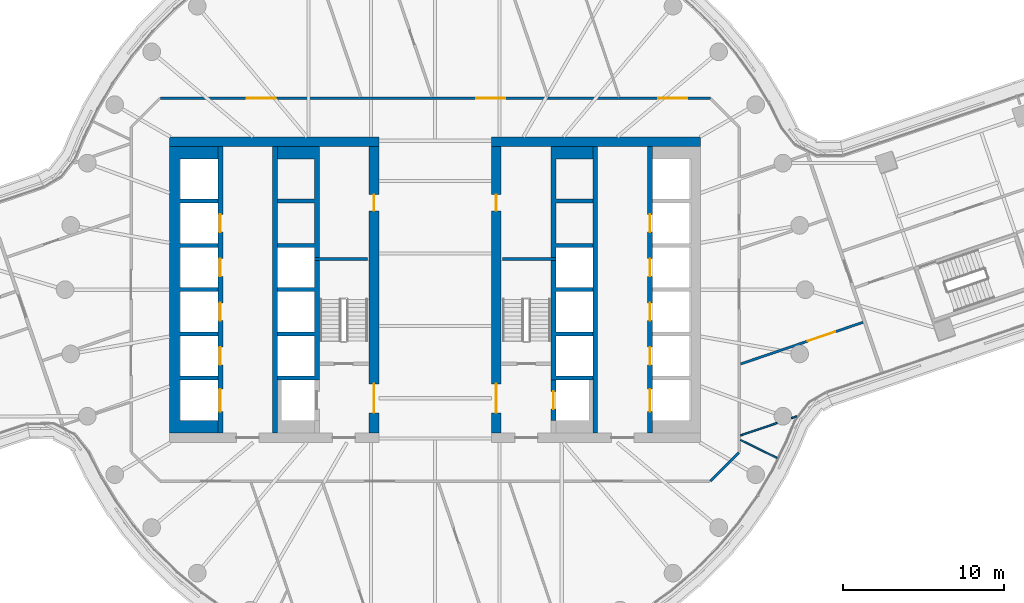
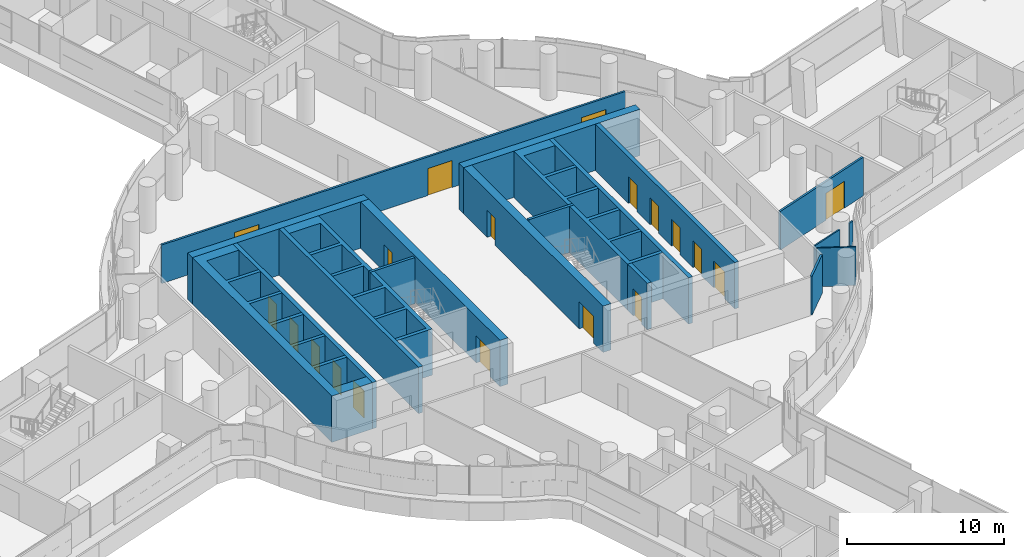
# One storey, part 19 of 29: 20 walls, 19 doors, 19 openings.
"""IFC4 building model written with IfcOpenShell, lengths in metres."""

from ifc_helpers import new_model, si_unit, direction, frame, frame_2d, origin, place, context, subcontext, project, spatial, polyline, rectangle, outline, extrude, material, layer, layer_set, type_object, element, fill, save


model = new_model("IFC4")

# Units and contexts
model_context = context("Model", 3, precision=1e-05, world=origin(), true_north=direction((0.0, 1.0)))
body_context = subcontext(model_context, "Body", "Model", "MODEL_VIEW")
ifc_project = project(units=[si_unit("LENGTHUNIT", "METRE"), si_unit("AREAUNIT", "SQUARE_METRE"), si_unit("VOLUMEUNIT", "CUBIC_METRE"), si_unit("PLANEANGLEUNIT", "RADIAN"), si_unit("MASSUNIT", "GRAM", prefix="KILO")], contexts=[model_context])

# Site, building, storey
site_placement = place(None, origin())
site = spatial("IfcSite", under=ifc_project, at=site_placement, CompositionType="ELEMENT")
building_placement = place(site_placement, origin())
building = spatial("IfcBuilding", under=site, at=building_placement, Name="Tamarind Cross Interchange Tower", CompositionType="ELEMENT")
storey_placement = place(building_placement, frame((0.0, 0.0, 102.25)))
storey = spatial("IfcBuildingStorey", under=building, at=storey_placement, Name="L24", CompositionType="ELEMENT", Elevation=102.25)

# Walls
ifc_material_1 = material(Name="Concrete C70", Category="concrete")
ifc_layer_1 = layer(ifc_material_1, 0.60009765625)
ifc_layer_set_1 = layer_set([ifc_layer_1], Name="Concrete C70")
wall_type_1 = type_object("IfcWallType", Name="Core wall 600 mm Concrete C70", PredefinedType="SHEAR", material=ifc_layer_set_1)
wall_1_placement = place(storey_placement, origin())
element("IfcWall", 1, at=wall_1_placement, inside=storey, type_object=wall_type_1, Name="Core wall CWL-L24-W-A", PredefinedType="SHEAR", context=body_context, shape_type="SweptSolid", body=[
    extrude(outline(polyline([(-13.5, -8.89990234375), (-13.5, -8.125), (-15.89990234375, -8.125), (-15.89990234375, -5.625), (-13.5, -5.625), (-13.5, -5.375), (-15.89990234375, -5.375), (-15.89990234375, -2.875), (-13.5, -2.875), (-13.5, -2.625), (-15.89990234375, -2.625), (-15.89990234375, -0.125), (-13.5, -0.125), (-13.5, 0.125), (-15.89990234375, 0.125), (-15.89990234375, 2.625), (-13.5, 2.625), (-13.5, 2.875), (-15.89990234375, 2.875), (-15.89990234375, 5.375), (-13.5, 5.375), (-13.5, 5.625), (-15.89990234375, 5.625), (-15.89990234375, 8.125), (-13.5, 8.125), (-13.5, 8.89990234375), (-15.89990234375, 8.89990234375), (-16.5, 8.89990234375), (-16.5, -8.89990234375), (-15.89990234375, -8.89990234375), (-13.5, -8.89990234375)])), origin(), (0.0, 0.0, 1.0), 3.610107421875),
])
wall_2_placement = place(storey_placement, frame((-16.5, 9.199951171875, 0.0), z_axis=(0.0, 0.0, 1.0), x_axis=(1.0, 0.0, 0.0)))
element("IfcWall", 2, at=wall_2_placement, inside=storey, type_object=wall_type_1, Name="Core wall CWL-L24-W-NE", PredefinedType="SHEAR", context=body_context, shape_type="SweptSolid", body=[
    extrude(rectangle(XDim=13.0, YDim=0.60009765625, at=frame_2d((6.5, 0.0))), origin(), (0.0, 0.0, 1.0), 3.610107421875),
])

# Wall, openings, doors
wall_3_placement = place(storey_placement, frame((-3.800048828125, -8.89990234375, 0.0), z_axis=(0.0, 0.0, 1.0), x_axis=(0.0, 1.0, 0.0)))
wall_3 = element("IfcWall", 3, at=wall_3_placement, inside=storey, type_object=wall_type_1, Name="Core wall CWL-L24-W-IN", PredefinedType="SHEAR", context=body_context, shape_type="SweptSolid", body=[
    extrude(rectangle(XDim=17.7998046875, YDim=0.60009765625, at=frame_2d((8.89990234375, 0.0))), origin(), (0.0, 0.0, 1.0), 3.610107421875),
])
opening_1_placement = place(wall_3_placement, frame((1.25, 0.0, 0.0)))
opening_1 = element("IfcOpeningElement", 4, at=opening_1_placement, cuts=wall_3, Name="Opening DCW4", PredefinedType="OPENING", context=body_context, shape_type="SweptSolid", body=[
    extrude(rectangle(XDim=1.800048828125, YDim=2.10009765625, at=frame_2d((0.89990234375, 1.050048828125))), frame((0.0, 0.31005859375, 0.0), z_axis=(0.0, -1.0, 0.0), x_axis=(1.0, 0.0, 0.0)), (0.0, 0.0, 1.0), 0.6201171875),
])
opening_2_placement = place(wall_3_placement, frame((13.800048828125, 0.0, 0.0)))
opening_2 = element("IfcOpeningElement", 5, at=opening_2_placement, cuts=wall_3, Name="Opening DCW5", PredefinedType="OPENING", context=body_context, shape_type="SweptSolid", body=[
    extrude(rectangle(XDim=1.0, YDim=2.10009765625, at=frame_2d((0.5, 1.050048828125))), frame((0.0, 0.31005859375, 0.0), z_axis=(0.0, -1.0, 0.0), x_axis=(1.0, 0.0, 0.0)), (0.0, 0.0, 1.0), 0.6201171875),
])
ifc_material_2 = material(Name="Steel, fire-resisting", Category="steel")
door_type_1 = type_object("IfcDoorType", Name="Core fire door 1000 x 2100 FD90", OperationType="SINGLE_SWING_LEFT", PredefinedType="DOOR", material=ifc_material_2)
door_1_placement = place(opening_2_placement, origin())
door_1 = element("IfcDoor", 6, at=door_1_placement, inside=storey, type_object=door_type_1, Name="L24 riser room door", OperationType="SINGLE_SWING_LEFT", OverallHeight=2.10009765625, OverallWidth=1.0, PredefinedType="DOOR", context=body_context, shape_type="SweptSolid", body=[
    extrude(rectangle(XDim=1.0, YDim=2.10009765625, at=frame_2d((0.5, 1.050048828125))), frame((0.0, 0.02490234375, 0.0), z_axis=(0.0, -1.0, 0.0), x_axis=(1.0, 0.0, 0.0)), (0.0, 0.0, 1.0), 0.050048828125),
])
fill(opening_2, door_1)
door_type_2 = type_object("IfcDoorType", Name="Core fire door 1800 x 2100 FD90", OperationType="SINGLE_SWING_LEFT", PredefinedType="DOOR", material=ifc_material_2)
door_2_placement = place(opening_1_placement, origin())
door_2 = element("IfcDoor", 7, at=door_2_placement, inside=storey, type_object=door_type_2, Name="L24 firefighting lobby door", OperationType="SINGLE_SWING_LEFT", OverallHeight=2.10009765625, OverallWidth=1.800048828125, PredefinedType="DOOR", context=body_context, shape_type="SweptSolid", body=[
    extrude(rectangle(XDim=1.800048828125, YDim=2.10009765625, at=frame_2d((0.89990234375, 1.050048828125))), frame((0.0, 0.02490234375, 0.0), z_axis=(0.0, -1.0, 0.0), x_axis=(1.0, 0.0, 0.0)), (0.0, 0.0, 1.0), 0.050048828125),
])
fill(opening_1, door_2)

# Wall
wall_4_placement = place(storey_placement, frame((16.5, 9.199951171875, 0.0), z_axis=(0.0, 0.0, 1.0), x_axis=(-1.0, 0.0, 0.0)))
element("IfcWall", 8, at=wall_4_placement, inside=storey, type_object=wall_type_1, Name="Core wall CWL-L24-E-NE", PredefinedType="SHEAR", context=body_context, shape_type="SweptSolid", body=[
    extrude(rectangle(XDim=13.0, YDim=0.60009765625, at=frame_2d((6.5, 0.0))), origin(), (0.0, 0.0, 1.0), 3.610107421875),
])

# Wall, openings, doors
wall_5_placement = place(storey_placement, frame((3.800048828125, -8.89990234375, 0.0), z_axis=(0.0, 0.0, 1.0), x_axis=(0.0, 1.0, 0.0)))
wall_5 = element("IfcWall", 9, at=wall_5_placement, inside=storey, type_object=wall_type_1, Name="Core wall CWL-L24-E-IN", PredefinedType="SHEAR", context=body_context, shape_type="SweptSolid", body=[
    extrude(rectangle(XDim=17.7998046875, YDim=0.60009765625, at=frame_2d((8.89990234375, 0.0))), origin(), (0.0, 0.0, 1.0), 3.610107421875),
])
opening_3_placement = place(wall_5_placement, frame((1.25, 0.0, 0.0)))
opening_3 = element("IfcOpeningElement", 10, at=opening_3_placement, cuts=wall_5, Name="Opening DCE4", PredefinedType="OPENING", context=body_context, shape_type="SweptSolid", body=[
    extrude(rectangle(XDim=1.800048828125, YDim=2.10009765625, at=frame_2d((0.89990234375, 1.050048828125))), frame((0.0, 0.31005859375, 0.0), z_axis=(0.0, -1.0, 0.0), x_axis=(1.0, 0.0, 0.0)), (0.0, 0.0, 1.0), 0.6201171875),
])
opening_4_placement = place(wall_5_placement, frame((13.800048828125, 0.0, 0.0)))
opening_4 = element("IfcOpeningElement", 11, at=opening_4_placement, cuts=wall_5, Name="Opening DCE5", PredefinedType="OPENING", context=body_context, shape_type="SweptSolid", body=[
    extrude(rectangle(XDim=1.0, YDim=2.10009765625, at=frame_2d((0.5, 1.050048828125))), frame((0.0, 0.31005859375, 0.0), z_axis=(0.0, -1.0, 0.0), x_axis=(1.0, 0.0, 0.0)), (0.0, 0.0, 1.0), 0.6201171875),
])
door_3_placement = place(opening_4_placement, origin())
door_3 = element("IfcDoor", 12, at=door_3_placement, inside=storey, type_object=door_type_1, Name="L24 riser room door", OperationType="SINGLE_SWING_LEFT", OverallHeight=2.10009765625, OverallWidth=1.0, PredefinedType="DOOR", context=body_context, shape_type="SweptSolid", body=[
    extrude(rectangle(XDim=1.0, YDim=2.10009765625, at=frame_2d((0.5, 1.050048828125))), frame((0.0, 0.02490234375, 0.0), z_axis=(0.0, -1.0, 0.0), x_axis=(1.0, 0.0, 0.0)), (0.0, 0.0, 1.0), 0.050048828125),
])
fill(opening_4, door_3)
door_4_placement = place(opening_3_placement, origin())
door_4 = element("IfcDoor", 13, at=door_4_placement, inside=storey, type_object=door_type_2, Name="L24 firefighting lobby door", OperationType="SINGLE_SWING_LEFT", OverallHeight=2.10009765625, OverallWidth=1.800048828125, PredefinedType="DOOR", context=body_context, shape_type="SweptSolid", body=[
    extrude(rectangle(XDim=1.800048828125, YDim=2.10009765625, at=frame_2d((0.89990234375, 1.050048828125))), frame((0.0, 0.02490234375, 0.0), z_axis=(0.0, -1.0, 0.0), x_axis=(1.0, 0.0, 0.0)), (0.0, 0.0, 1.0), 0.050048828125),
])
fill(opening_3, door_4)

# Walls
ifc_layer_2 = layer(ifc_material_1, 0.199951171875)
ifc_layer_set_2 = layer_set([ifc_layer_2], Name="Concrete C70")
wall_type_2 = type_object("IfcWallType", Name="Core web wall 200 mm Concrete C70", PredefinedType="SHEAR", material=ifc_layer_set_2)
for number, where, z_axis, x_axis, name in (
    (14, (-7.5, 1.89990234375, 0.0), (0.0, 0.0, 1.0), (1.0, 0.0, 0.0), "Core wall CWL-L24-W-BD"),
    (15, (7.5, 1.89990234375, 0.0), (0.0, 0.0, 1.0), (-1.0, 0.0, 0.0), "Core wall CWL-L24-E-BD"),
):
    element("IfcWall", number, at=place(storey_placement, frame(where, z_axis=z_axis, x_axis=x_axis)), inside=storey, type_object=wall_type_2, Name=name, PredefinedType="SHEAR", context=body_context, shape_type="SweptSolid", body=[
        extrude(rectangle(XDim=3.300048828125, YDim=0.199951171875, at=frame_2d((1.64990234375, 0.0))), origin(), (0.0, 0.0, 1.0), 3.610107421875),
    ])
ifc_layer_3 = layer(ifc_material_1, 0.300048828125)
ifc_layer_set_3 = layer_set([ifc_layer_3], Name="Concrete C70")
wall_type_3 = type_object("IfcWallType", Name="Core web wall 300 mm Concrete C70", PredefinedType="SHEAR", material=ifc_layer_set_3)
wall_6_placement = place(storey_placement, origin())
element("IfcWall", 16, at=wall_6_placement, inside=storey, type_object=wall_type_3, Name="Core wall CWL-L24-W-BN", PredefinedType="SHEAR", context=body_context, shape_type="SweptSolid", body=[
    extrude(outline(polyline([(-9.800048828125, -5.375), (-9.800048828125, -5.625), (-7.5, -5.625), (-7.199951171875, -5.625), (-7.199951171875, 8.89990234375), (-7.5, 8.89990234375), (-9.800048828125, 8.89990234375), (-9.800048828125, 8.125), (-7.5, 8.125), (-7.5, 5.625), (-9.800048828125, 5.625), (-9.800048828125, 5.375), (-7.5, 5.375), (-7.5, 2.875), (-9.800048828125, 2.875), (-9.800048828125, 2.625), (-7.5, 2.625), (-7.5, 0.125), (-9.800048828125, 0.125), (-9.800048828125, -0.125), (-7.5, -0.125), (-7.5, -2.625), (-9.800048828125, -2.625), (-9.800048828125, -2.875), (-7.5, -2.875), (-7.5, -5.375), (-9.800048828125, -5.375)])), origin(), (0.0, 0.0, 1.0), 3.610107421875),
])

# Wall, openings, doors
wall_7_placement = place(storey_placement, frame((-13.35009765625, -8.89990234375, 0.0), z_axis=(0.0, 0.0, 1.0), x_axis=(0.0, 1.0, 0.0)))
wall_7 = element("IfcWall", 17, at=wall_7_placement, inside=storey, type_object=wall_type_3, Name="Core wall CWL-L24-W-LA", PredefinedType="SHEAR", context=body_context, shape_type="SweptSolid", body=[
    extrude(rectangle(XDim=17.7998046875, YDim=0.300048828125, at=frame_2d((8.89990234375, 0.0))), origin(), (0.0, 0.0, 1.0), 3.610107421875),
])
opening_5_placement = place(wall_7_placement, frame((1.324951171875, 0.0, 0.0)))
opening_5 = element("IfcOpeningElement", 18, at=opening_5_placement, cuts=wall_7, Name="Opening LD1L24", PredefinedType="OPENING", context=body_context, shape_type="SweptSolid", body=[
    extrude(rectangle(XDim=1.39990234375, YDim=2.10009765625, at=frame_2d((0.699951171875, 1.050048828125))), frame((0.0, 0.159912109375, 0.0), z_axis=(0.0, -1.0, 0.0), x_axis=(1.0, 0.0, 0.0)), (0.0, 0.0, 1.0), 0.320068359375),
])
opening_6_placement = place(wall_7_placement, frame((4.22509765625, 0.0, 0.0)))
opening_6 = element("IfcOpeningElement", 19, at=opening_6_placement, cuts=wall_7, Name="Opening LD2L24", PredefinedType="OPENING", context=body_context, shape_type="SweptSolid", body=[
    extrude(rectangle(XDim=1.10009765625, YDim=2.10009765625, at=frame_2d((0.550048828125, 1.050048828125))), frame((0.0, 0.159912109375, 0.0), z_axis=(0.0, -1.0, 0.0), x_axis=(1.0, 0.0, 0.0)), (0.0, 0.0, 1.0), 0.320068359375),
])
opening_7_placement = place(wall_7_placement, frame((6.97509765625, 0.0, 0.0)))
opening_7 = element("IfcOpeningElement", 20, at=opening_7_placement, cuts=wall_7, Name="Opening LD3L24", PredefinedType="OPENING", context=body_context, shape_type="SweptSolid", body=[
    extrude(rectangle(XDim=1.10009765625, YDim=2.10009765625, at=frame_2d((0.550048828125, 1.050048828125))), frame((0.0, 0.159912109375, 0.0), z_axis=(0.0, -1.0, 0.0), x_axis=(1.0, 0.0, 0.0)), (0.0, 0.0, 1.0), 0.320068359375),
])
opening_8_placement = place(wall_7_placement, frame((9.72509765625, 0.0, 0.0)))
opening_8 = element("IfcOpeningElement", 21, at=opening_8_placement, cuts=wall_7, Name="Opening LD4L24", PredefinedType="OPENING", context=body_context, shape_type="SweptSolid", body=[
    extrude(rectangle(XDim=1.10009765625, YDim=2.10009765625, at=frame_2d((0.550048828125, 1.050048828125))), frame((0.0, 0.159912109375, 0.0), z_axis=(0.0, -1.0, 0.0), x_axis=(1.0, 0.0, 0.0)), (0.0, 0.0, 1.0), 0.320068359375),
])
opening_9_placement = place(wall_7_placement, frame((12.47509765625, 0.0, 0.0)))
opening_9 = element("IfcOpeningElement", 22, at=opening_9_placement, cuts=wall_7, Name="Opening LD5L24", PredefinedType="OPENING", context=body_context, shape_type="SweptSolid", body=[
    extrude(rectangle(XDim=1.10009765625, YDim=2.10009765625, at=frame_2d((0.550048828125, 1.050048828125))), frame((0.0, 0.159912109375, 0.0), z_axis=(0.0, -1.0, 0.0), x_axis=(1.0, 0.0, 0.0)), (0.0, 0.0, 1.0), 0.320068359375),
])
ifc_material_3 = material(Name="Stainless steel panel", Category="steel")
door_type_3 = type_object("IfcDoorType", Name="Lift landing door 1100 x 2100 E 120", OperationType="SLIDING_TO_LEFT", PredefinedType="DOOR", material=ifc_material_3)
door_5_placement = place(opening_6_placement, origin())
door_5 = element("IfcDoor", 23, at=door_5_placement, inside=storey, type_object=door_type_3, Name="L24 landing door LF2", OperationType="SLIDING_TO_LEFT", OverallHeight=2.10009765625, OverallWidth=1.10009765625, PredefinedType="DOOR", context=body_context, shape_type="SweptSolid", body=[
    extrude(rectangle(XDim=1.10009765625, YDim=2.10009765625, at=frame_2d((0.550048828125, 1.050048828125))), frame((0.0, 0.02490234375, 0.0), z_axis=(0.0, -1.0, 0.0), x_axis=(1.0, 0.0, 0.0)), (0.0, 0.0, 1.0), 0.050048828125),
])
fill(opening_6, door_5)
door_6_placement = place(opening_7_placement, origin())
door_6 = element("IfcDoor", 24, at=door_6_placement, inside=storey, type_object=door_type_3, Name="L24 landing door LF3", OperationType="SLIDING_TO_LEFT", OverallHeight=2.10009765625, OverallWidth=1.10009765625, PredefinedType="DOOR", context=body_context, shape_type="SweptSolid", body=[
    extrude(rectangle(XDim=1.10009765625, YDim=2.10009765625, at=frame_2d((0.550048828125, 1.050048828125))), frame((0.0, 0.02490234375, 0.0), z_axis=(0.0, -1.0, 0.0), x_axis=(1.0, 0.0, 0.0)), (0.0, 0.0, 1.0), 0.050048828125),
])
fill(opening_7, door_6)
door_7_placement = place(opening_8_placement, origin())
door_7 = element("IfcDoor", 25, at=door_7_placement, inside=storey, type_object=door_type_3, Name="L24 landing door LF4", OperationType="SLIDING_TO_LEFT", OverallHeight=2.10009765625, OverallWidth=1.10009765625, PredefinedType="DOOR", context=body_context, shape_type="SweptSolid", body=[
    extrude(rectangle(XDim=1.10009765625, YDim=2.10009765625, at=frame_2d((0.550048828125, 1.050048828125))), frame((0.0, 0.02490234375, 0.0), z_axis=(0.0, -1.0, 0.0), x_axis=(1.0, 0.0, 0.0)), (0.0, 0.0, 1.0), 0.050048828125),
])
fill(opening_8, door_7)
door_8_placement = place(opening_9_placement, origin())
door_8 = element("IfcDoor", 26, at=door_8_placement, inside=storey, type_object=door_type_3, Name="L24 landing door LF5", OperationType="SLIDING_TO_LEFT", OverallHeight=2.10009765625, OverallWidth=1.10009765625, PredefinedType="DOOR", context=body_context, shape_type="SweptSolid", body=[
    extrude(rectangle(XDim=1.10009765625, YDim=2.10009765625, at=frame_2d((0.550048828125, 1.050048828125))), frame((0.0, 0.02490234375, 0.0), z_axis=(0.0, -1.0, 0.0), x_axis=(1.0, 0.0, 0.0)), (0.0, 0.0, 1.0), 0.050048828125),
])
fill(opening_9, door_8)
door_type_4 = type_object("IfcDoorType", Name="Lift landing door 1400 x 2100 E 120", OperationType="SLIDING_TO_LEFT", PredefinedType="DOOR", material=ifc_material_3)
door_9_placement = place(opening_5_placement, origin())
door_9 = element("IfcDoor", 27, at=door_9_placement, inside=storey, type_object=door_type_4, Name="L24 landing door LF1", OperationType="SLIDING_TO_LEFT", OverallHeight=2.10009765625, OverallWidth=1.39990234375, PredefinedType="DOOR", context=body_context, shape_type="SweptSolid", body=[
    extrude(rectangle(XDim=1.39990234375, YDim=2.10009765625, at=frame_2d((0.699951171875, 1.050048828125))), frame((0.0, 0.02490234375, 0.0), z_axis=(0.0, -1.0, 0.0), x_axis=(1.0, 0.0, 0.0)), (0.0, 0.0, 1.0), 0.050048828125),
])
fill(opening_5, door_9)

# Walls
wall_8_placement = place(storey_placement, frame((-9.949951171875, -8.89990234375, 0.0), z_axis=(0.0, 0.0, 1.0), x_axis=(0.0, 1.0, 0.0)))
element("IfcWall", 28, at=wall_8_placement, inside=storey, type_object=wall_type_3, Name="Core wall CWL-L24-W-LB", PredefinedType="SHEAR", context=body_context, shape_type="SweptSolid", body=[
    extrude(rectangle(XDim=17.7998046875, YDim=0.300048828125, at=frame_2d((8.89990234375, 0.0))), origin(), (0.0, 0.0, 1.0), 3.610107421875),
])
wall_9_placement = place(storey_placement, origin())
element("IfcWall", 29, at=wall_9_placement, inside=storey, type_object=wall_type_3, Name="Core wall CWL-L24-E-BN", PredefinedType="SHEAR", context=body_context, shape_type="SweptSolid", body=[
    extrude(outline(polyline([(9.800048828125, -5.375), (7.5, -5.375), (7.5, -2.875), (9.800048828125, -2.875), (9.800048828125, -2.625), (7.5, -2.625), (7.5, -0.125), (9.800048828125, -0.125), (9.800048828125, 0.125), (7.5, 0.125), (7.5, 2.625), (9.800048828125, 2.625), (9.800048828125, 2.875), (7.5, 2.875), (7.5, 5.375), (9.800048828125, 5.375), (9.800048828125, 5.625), (7.5, 5.625), (7.5, 8.125), (9.800048828125, 8.125), (9.800048828125, 8.89990234375), (7.5, 8.89990234375), (7.199951171875, 8.89990234375), (7.199951171875, -5.625), (7.5, -5.625), (9.800048828125, -5.625), (9.800048828125, -5.375)])), origin(), (0.0, 0.0, 1.0), 3.610107421875),
])

# Wall, openings, doors
wall_10_placement = place(storey_placement, frame((13.35009765625, -8.89990234375, 0.0), z_axis=(0.0, 0.0, 1.0), x_axis=(0.0, 1.0, 0.0)))
wall_10 = element("IfcWall", 30, at=wall_10_placement, inside=storey, type_object=wall_type_3, Name="Core wall CWL-L24-E-LA", PredefinedType="SHEAR", context=body_context, shape_type="SweptSolid", body=[
    extrude(rectangle(XDim=17.7998046875, YDim=0.300048828125, at=frame_2d((8.89990234375, 0.0))), origin(), (0.0, 0.0, 1.0), 3.610107421875),
])
opening_10_placement = place(wall_10_placement, frame((1.324951171875, 0.0, 0.0)))
opening_10 = element("IfcOpeningElement", 31, at=opening_10_placement, cuts=wall_10, Name="Opening LD13L24", PredefinedType="OPENING", context=body_context, shape_type="SweptSolid", body=[
    extrude(rectangle(XDim=1.39990234375, YDim=2.10009765625, at=frame_2d((0.699951171875, 1.050048828125))), frame((0.0, 0.159912109375, 0.0), z_axis=(0.0, -1.0, 0.0), x_axis=(1.0, 0.0, 0.0)), (0.0, 0.0, 1.0), 0.320068359375),
])
opening_11_placement = place(wall_10_placement, frame((4.22509765625, 0.0, 0.0)))
opening_11 = element("IfcOpeningElement", 32, at=opening_11_placement, cuts=wall_10, Name="Opening LD14L24", PredefinedType="OPENING", context=body_context, shape_type="SweptSolid", body=[
    extrude(rectangle(XDim=1.10009765625, YDim=2.10009765625, at=frame_2d((0.550048828125, 1.050048828125))), frame((0.0, 0.159912109375, 0.0), z_axis=(0.0, -1.0, 0.0), x_axis=(1.0, 0.0, 0.0)), (0.0, 0.0, 1.0), 0.320068359375),
])
opening_12_placement = place(wall_10_placement, frame((6.97509765625, 0.0, 0.0)))
opening_12 = element("IfcOpeningElement", 33, at=opening_12_placement, cuts=wall_10, Name="Opening LD15L24", PredefinedType="OPENING", context=body_context, shape_type="SweptSolid", body=[
    extrude(rectangle(XDim=1.10009765625, YDim=2.10009765625, at=frame_2d((0.550048828125, 1.050048828125))), frame((0.0, 0.159912109375, 0.0), z_axis=(0.0, -1.0, 0.0), x_axis=(1.0, 0.0, 0.0)), (0.0, 0.0, 1.0), 0.320068359375),
])
opening_13_placement = place(wall_10_placement, frame((9.72509765625, 0.0, 0.0)))
opening_13 = element("IfcOpeningElement", 34, at=opening_13_placement, cuts=wall_10, Name="Opening LD16L24", PredefinedType="OPENING", context=body_context, shape_type="SweptSolid", body=[
    extrude(rectangle(XDim=1.10009765625, YDim=2.10009765625, at=frame_2d((0.550048828125, 1.050048828125))), frame((0.0, 0.159912109375, 0.0), z_axis=(0.0, -1.0, 0.0), x_axis=(1.0, 0.0, 0.0)), (0.0, 0.0, 1.0), 0.320068359375),
])
opening_14_placement = place(wall_10_placement, frame((12.47509765625, 0.0, 0.0)))
opening_14 = element("IfcOpeningElement", 35, at=opening_14_placement, cuts=wall_10, Name="Opening LD17L24", PredefinedType="OPENING", context=body_context, shape_type="SweptSolid", body=[
    extrude(rectangle(XDim=1.10009765625, YDim=2.10009765625, at=frame_2d((0.550048828125, 1.050048828125))), frame((0.0, 0.159912109375, 0.0), z_axis=(0.0, -1.0, 0.0), x_axis=(1.0, 0.0, 0.0)), (0.0, 0.0, 1.0), 0.320068359375),
])
door_10_placement = place(opening_11_placement, origin())
door_10 = element("IfcDoor", 36, at=door_10_placement, inside=storey, type_object=door_type_3, Name="L24 landing door LF14", OperationType="SLIDING_TO_LEFT", OverallHeight=2.10009765625, OverallWidth=1.10009765625, PredefinedType="DOOR", context=body_context, shape_type="SweptSolid", body=[
    extrude(rectangle(XDim=1.10009765625, YDim=2.10009765625, at=frame_2d((0.550048828125, 1.050048828125))), frame((0.0, 0.02490234375, 0.0), z_axis=(0.0, -1.0, 0.0), x_axis=(1.0, 0.0, 0.0)), (0.0, 0.0, 1.0), 0.050048828125),
])
fill(opening_11, door_10)
door_11_placement = place(opening_12_placement, origin())
door_11 = element("IfcDoor", 37, at=door_11_placement, inside=storey, type_object=door_type_3, Name="L24 landing door LF15", OperationType="SLIDING_TO_LEFT", OverallHeight=2.10009765625, OverallWidth=1.10009765625, PredefinedType="DOOR", context=body_context, shape_type="SweptSolid", body=[
    extrude(rectangle(XDim=1.10009765625, YDim=2.10009765625, at=frame_2d((0.550048828125, 1.050048828125))), frame((0.0, 0.02490234375, 0.0), z_axis=(0.0, -1.0, 0.0), x_axis=(1.0, 0.0, 0.0)), (0.0, 0.0, 1.0), 0.050048828125),
])
fill(opening_12, door_11)
door_12_placement = place(opening_13_placement, origin())
door_12 = element("IfcDoor", 38, at=door_12_placement, inside=storey, type_object=door_type_3, Name="L24 landing door LF16", OperationType="SLIDING_TO_LEFT", OverallHeight=2.10009765625, OverallWidth=1.10009765625, PredefinedType="DOOR", context=body_context, shape_type="SweptSolid", body=[
    extrude(rectangle(XDim=1.10009765625, YDim=2.10009765625, at=frame_2d((0.550048828125, 1.050048828125))), frame((0.0, 0.02490234375, 0.0), z_axis=(0.0, -1.0, 0.0), x_axis=(1.0, 0.0, 0.0)), (0.0, 0.0, 1.0), 0.050048828125),
])
fill(opening_13, door_12)
door_13_placement = place(opening_14_placement, origin())
door_13 = element("IfcDoor", 39, at=door_13_placement, inside=storey, type_object=door_type_3, Name="L24 landing door LF17", OperationType="SLIDING_TO_LEFT", OverallHeight=2.10009765625, OverallWidth=1.10009765625, PredefinedType="DOOR", context=body_context, shape_type="SweptSolid", body=[
    extrude(rectangle(XDim=1.10009765625, YDim=2.10009765625, at=frame_2d((0.550048828125, 1.050048828125))), frame((0.0, 0.02490234375, 0.0), z_axis=(0.0, -1.0, 0.0), x_axis=(1.0, 0.0, 0.0)), (0.0, 0.0, 1.0), 0.050048828125),
])
fill(opening_14, door_13)
door_14_placement = place(opening_10_placement, origin())
door_14 = element("IfcDoor", 40, at=door_14_placement, inside=storey, type_object=door_type_4, Name="L24 landing door LF13", OperationType="SLIDING_TO_LEFT", OverallHeight=2.10009765625, OverallWidth=1.39990234375, PredefinedType="DOOR", context=body_context, shape_type="SweptSolid", body=[
    extrude(rectangle(XDim=1.39990234375, YDim=2.10009765625, at=frame_2d((0.699951171875, 1.050048828125))), frame((0.0, 0.02490234375, 0.0), z_axis=(0.0, -1.0, 0.0), x_axis=(1.0, 0.0, 0.0)), (0.0, 0.0, 1.0), 0.050048828125),
])
fill(opening_10, door_14)

# Wall
wall_11_placement = place(storey_placement, frame((9.949951171875, -8.89990234375, 0.0), z_axis=(0.0, 0.0, 1.0), x_axis=(0.0, 1.0, 0.0)))
element("IfcWall", 41, at=wall_11_placement, inside=storey, type_object=wall_type_3, Name="Core wall CWL-L24-E-LB", PredefinedType="SHEAR", context=body_context, shape_type="SweptSolid", body=[
    extrude(rectangle(XDim=17.7998046875, YDim=0.300048828125, at=frame_2d((8.89990234375, 0.0))), origin(), (0.0, 0.0, 1.0), 3.610107421875),
])

# Wall, opening, door
wall_12_placement = place(storey_placement, frame((7.35009765625, -8.125, 0.0), z_axis=(0.0, 0.0, 1.0), x_axis=(0.0, 1.0, 0.0)))
wall_12 = element("IfcWall", 42, at=wall_12_placement, inside=storey, type_object=wall_type_3, Name="Core wall CWL-L24-E-FF", PredefinedType="SHEAR", context=body_context, shape_type="SweptSolid", body=[
    extrude(rectangle(XDim=2.5, YDim=0.300048828125, at=frame_2d((1.25, 0.0))), origin(), (0.0, 0.0, 1.0), 3.610107421875),
])
opening_15_placement = place(wall_12_placement, frame((0.699951171875, 0.0, 0.0)))
opening_15 = element("IfcOpeningElement", 43, at=opening_15_placement, cuts=wall_12, Name="Opening LD19L24", PredefinedType="OPENING", context=body_context, shape_type="SweptSolid", body=[
    extrude(rectangle(XDim=1.10009765625, YDim=2.10009765625, at=frame_2d((0.550048828125, 1.050048828125))), frame((0.0, 0.159912109375, 0.0), z_axis=(0.0, -1.0, 0.0), x_axis=(1.0, 0.0, 0.0)), (0.0, 0.0, 1.0), 0.320068359375),
])
door_15_placement = place(opening_15_placement, origin())
door_15 = element("IfcDoor", 44, at=door_15_placement, inside=storey, type_object=door_type_3, Name="L24 landing door LF19", OperationType="SLIDING_TO_LEFT", OverallHeight=2.10009765625, OverallWidth=1.10009765625, PredefinedType="DOOR", context=body_context, shape_type="SweptSolid", body=[
    extrude(rectangle(XDim=1.10009765625, YDim=2.10009765625, at=frame_2d((0.550048828125, 1.050048828125))), frame((0.0, 0.02490234375, 0.0), z_axis=(0.0, -1.0, 0.0), x_axis=(1.0, 0.0, 0.0)), (0.0, 0.0, 1.0), 0.050048828125),
])
fill(opening_15, door_15)

# Walls
ifc_material_4 = material(Name="Gypsum board partition on steel studs", Category="steel")
ifc_layer_4 = layer(ifc_material_4, 0.10009765625)
ifc_layer_set_4 = layer_set([ifc_layer_4], Name="Gypsum board partition on steel studs")
wall_type_4 = type_object("IfcWallType", Name="Partition 100 mm EI 90", PredefinedType="PARTITIONING", material=ifc_layer_set_4)
wall_13_placement = place(storey_placement, frame((18.977783203125, -9.343017578125, 0.0), z_axis=(0.0, 0.0, 1.0), x_axis=(0.897216700268, -0.441590526122, 0.0)))
element("IfcWall", 45, at=wall_13_placement, inside=storey, type_object=wall_type_4, Name="Partition L24-034", PredefinedType="PARTITIONING", context=body_context, shape_type="SweptSolid", body=[
    extrude(rectangle(XDim=2.522216796875, YDim=0.10009765625, at=frame_2d((1.26123046875, 0.0))), origin(), (0.0, 0.0, 1.0), 3.010009765625),
])
wall_14_placement = place(storey_placement, frame((18.9755859375, -9.05810546875, 0.0), z_axis=(0.0, 0.0, 1.0), x_axis=(0.946631529525, 0.322317773804, 0.0)))
element("IfcWall", 46, at=wall_14_placement, inside=storey, type_object=wall_type_4, Name="Partition L24-072", PredefinedType="PARTITIONING", context=body_context, shape_type="SweptSolid", body=[
    extrude(rectangle(XDim=2.414794921875, YDim=0.10009765625, at=frame_2d((1.20751953125, 0.0))), origin(), (0.0, 0.0, 1.0), 3.010009765625),
])
wall_15_placement = place(storey_placement, frame((22.142578125, -7.979736328125, 0.0), z_axis=(0.0, 0.0, 1.0), x_axis=(0.946742345381, 0.321992129505, 0.0)))
element("IfcWall", 47, at=wall_15_placement, inside=storey, type_object=wall_type_4, Name="Partition L24-073", PredefinedType="PARTITIONING", context=body_context, shape_type="SweptSolid", body=[
    extrude(rectangle(XDim=0.3427734375, YDim=0.10009765625, at=frame_2d((0.17138671875, 0.0))), origin(), (0.0, 0.0, 1.0), 3.010009765625),
])

# Wall, openings, doors
ifc_layer_5 = layer(ifc_material_4, 0.14990234375)
ifc_layer_set_5 = layer_set([ifc_layer_5], Name="Gypsum board partition on steel studs")
wall_type_5 = type_object("IfcWallType", Name="Partition 150 mm EI 120", PredefinedType="PARTITIONING", material=ifc_layer_set_5)
wall_16_placement = place(storey_placement, frame((-17.06494140625, 11.89990234375, 0.0), z_axis=(0.0, 0.0, 1.0), x_axis=(1.0, 0.0, 0.0)))
wall_16 = element("IfcWall", 48, at=wall_16_placement, inside=storey, type_object=wall_type_5, Name="Partition L24-036", PredefinedType="PARTITIONING", context=body_context, shape_type="SweptSolid", body=[
    extrude(rectangle(XDim=34.1650390625, YDim=0.14990234375, at=frame_2d((17.08251953125, 0.0))), origin(), (0.0, 0.0, 1.0), 3.010009765625),
])
opening_16_placement = place(wall_16_placement, frame((19.613037109375, 0.0, 0.0)))
opening_16 = element("IfcOpeningElement", 49, at=opening_16_placement, cuts=wall_16, Name="Opening D25", PredefinedType="OPENING", context=body_context, shape_type="SweptSolid", body=[
    extrude(rectangle(XDim=1.800048828125, YDim=2.10009765625, at=frame_2d((0.89990234375, 1.050048828125))), frame((0.0, 0.0849609375, 0.0), z_axis=(0.0, -1.0, 0.0), x_axis=(1.0, 0.0, 0.0)), (0.0, 0.0, 1.0), 0.169921875),
])
opening_17_placement = place(wall_16_placement, frame((30.93310546875, 0.0, 0.0)))
opening_17 = element("IfcOpeningElement", 50, at=opening_17_placement, cuts=wall_16, Name="Opening D26", PredefinedType="OPENING", context=body_context, shape_type="SweptSolid", body=[
    extrude(rectangle(XDim=1.800048828125, YDim=2.10009765625, at=frame_2d((0.89990234375, 1.050048828125))), frame((0.0, 0.0849609375, 0.0), z_axis=(0.0, -1.0, 0.0), x_axis=(1.0, 0.0, 0.0)), (0.0, 0.0, 1.0), 0.169921875),
])
opening_18_placement = place(wall_16_placement, frame((5.364990234375, 0.0, 0.0)))
opening_18 = element("IfcOpeningElement", 51, at=opening_18_placement, cuts=wall_16, Name="Opening D27", PredefinedType="OPENING", context=body_context, shape_type="SweptSolid", body=[
    extrude(rectangle(XDim=1.800048828125, YDim=2.10009765625, at=frame_2d((0.89990234375, 1.050048828125))), frame((0.0, 0.0849609375, 0.0), z_axis=(0.0, -1.0, 0.0), x_axis=(1.0, 0.0, 0.0)), (0.0, 0.0, 1.0), 0.169921875),
])
ifc_material_5 = material(Name="Fire-resisting door set")
door_type_5 = type_object("IfcDoorType", Name="Interior door 1800 x 2100 FD60S", OperationType="DOUBLE_DOOR_SINGLE_SWING", PredefinedType="DOOR", material=ifc_material_5)
door_16_placement = place(opening_16_placement, frame((1.800048828125, 0.0, 0.0), z_axis=(0.0, 0.0, 1.0), x_axis=(-1.0, 0.0, 0.0)))
door_16 = element("IfcDoor", 52, at=door_16_placement, inside=storey, type_object=door_type_5, Name="Door D25", OperationType="DOUBLE_DOOR_SINGLE_SWING", OverallHeight=2.10009765625, OverallWidth=1.800048828125, PredefinedType="DOOR", context=body_context, shape_type="SweptSolid", body=[
    extrude(rectangle(XDim=1.800048828125, YDim=2.10009765625, at=frame_2d((0.89990234375, 1.050048828125))), frame((0.0, 0.02490234375, 0.0), z_axis=(0.0, -1.0, 0.0), x_axis=(1.0, 0.0, 0.0)), (0.0, 0.0, 1.0), 0.050048828125),
])
fill(opening_16, door_16)
door_17_placement = place(opening_17_placement, origin())
door_17 = element("IfcDoor", 53, at=door_17_placement, inside=storey, type_object=door_type_5, Name="Door D26", OperationType="DOUBLE_DOOR_SINGLE_SWING", OverallHeight=2.10009765625, OverallWidth=1.800048828125, PredefinedType="DOOR", context=body_context, shape_type="SweptSolid", body=[
    extrude(rectangle(XDim=1.800048828125, YDim=2.10009765625, at=frame_2d((0.89990234375, 1.050048828125))), frame((0.0, 0.02490234375, 0.0), z_axis=(0.0, -1.0, 0.0), x_axis=(1.0, 0.0, 0.0)), (0.0, 0.0, 1.0), 0.050048828125),
])
fill(opening_17, door_17)
door_18_placement = place(opening_18_placement, origin())
door_18 = element("IfcDoor", 54, at=door_18_placement, inside=storey, type_object=door_type_5, Name="Door D27", OperationType="DOUBLE_DOOR_SINGLE_SWING", OverallHeight=2.10009765625, OverallWidth=1.800048828125, PredefinedType="DOOR", context=body_context, shape_type="SweptSolid", body=[
    extrude(rectangle(XDim=1.800048828125, YDim=2.10009765625, at=frame_2d((0.89990234375, 1.050048828125))), frame((0.0, 0.02490234375, 0.0), z_axis=(0.0, -1.0, 0.0), x_axis=(1.0, 0.0, 0.0)), (0.0, 0.0, 1.0), 0.050048828125),
])
fill(opening_18, door_18)

# Wall, opening, door
wall_17_placement = place(storey_placement, frame((18.98046875, -4.61962890625, 0.0), z_axis=(0.0, 0.0, 1.0), x_axis=(0.946608125522, 0.322386502038, 0.0)))
wall_17 = element("IfcWall", 55, at=wall_17_placement, inside=storey, type_object=wall_type_5, Name="Partition L24-067", PredefinedType="PARTITIONING", context=body_context, shape_type="SweptSolid", body=[
    extrude(rectangle(XDim=8.04248046875, YDim=0.14990234375, at=frame_2d((4.021240234375, 0.0))), origin(), (0.0, 0.0, 1.0), 3.010009765625),
])
opening_19_placement = place(wall_17_placement, frame((4.4150390625, 0.0, 0.0)))
opening_19 = element("IfcOpeningElement", 56, at=opening_19_placement, cuts=wall_17, Name="Opening D36", PredefinedType="OPENING", context=body_context, shape_type="SweptSolid", body=[
    extrude(rectangle(XDim=1.800048828125, YDim=2.10009765625, at=frame_2d((0.89990234375, 1.050048828125))), frame((0.0, 0.0849609375, 0.0), z_axis=(0.0, -1.0, 0.0), x_axis=(1.0, 0.0, 0.0)), (0.0, 0.0, 1.0), 0.169921875),
])
door_19_placement = place(opening_19_placement, frame((1.800048828125, 0.0, 0.0), z_axis=(0.0, 0.0, 1.0), x_axis=(-1.0, 0.0, 0.0)))
door_19 = element("IfcDoor", 57, at=door_19_placement, inside=storey, type_object=door_type_5, Name="Door D36", OperationType="DOUBLE_DOOR_SINGLE_SWING", OverallHeight=2.10009765625, OverallWidth=1.800048828125, PredefinedType="DOOR", context=body_context, shape_type="SweptSolid", body=[
    extrude(rectangle(XDim=1.800048828125, YDim=2.10009765625, at=frame_2d((0.89990234375, 1.050048828125))), frame((0.0, 0.02490234375, 0.0), z_axis=(0.0, -1.0, 0.0), x_axis=(1.0, 0.0, 0.0)), (0.0, 0.0, 1.0), 0.050048828125),
])
fill(opening_19, door_19)

# Wall
wall_18_placement = place(storey_placement, frame((17.10009765625, -11.89990234375, 0.0), z_axis=(0.0, 0.0, 1.0), x_axis=(0.707106781187, 0.707106781187, 0.0)))
element("IfcWall", 58, at=wall_18_placement, inside=storey, type_object=wall_type_5, Name="Partition L24-078", PredefinedType="PARTITIONING", context=body_context, shape_type="SweptSolid", body=[
    extrude(rectangle(XDim=2.50537109375, YDim=0.14990234375, at=frame_2d((1.252685546875, 0.0))), origin(), (0.0, 0.0, 1.0), 3.010009765625),
])

save(model, "model.ifc")
